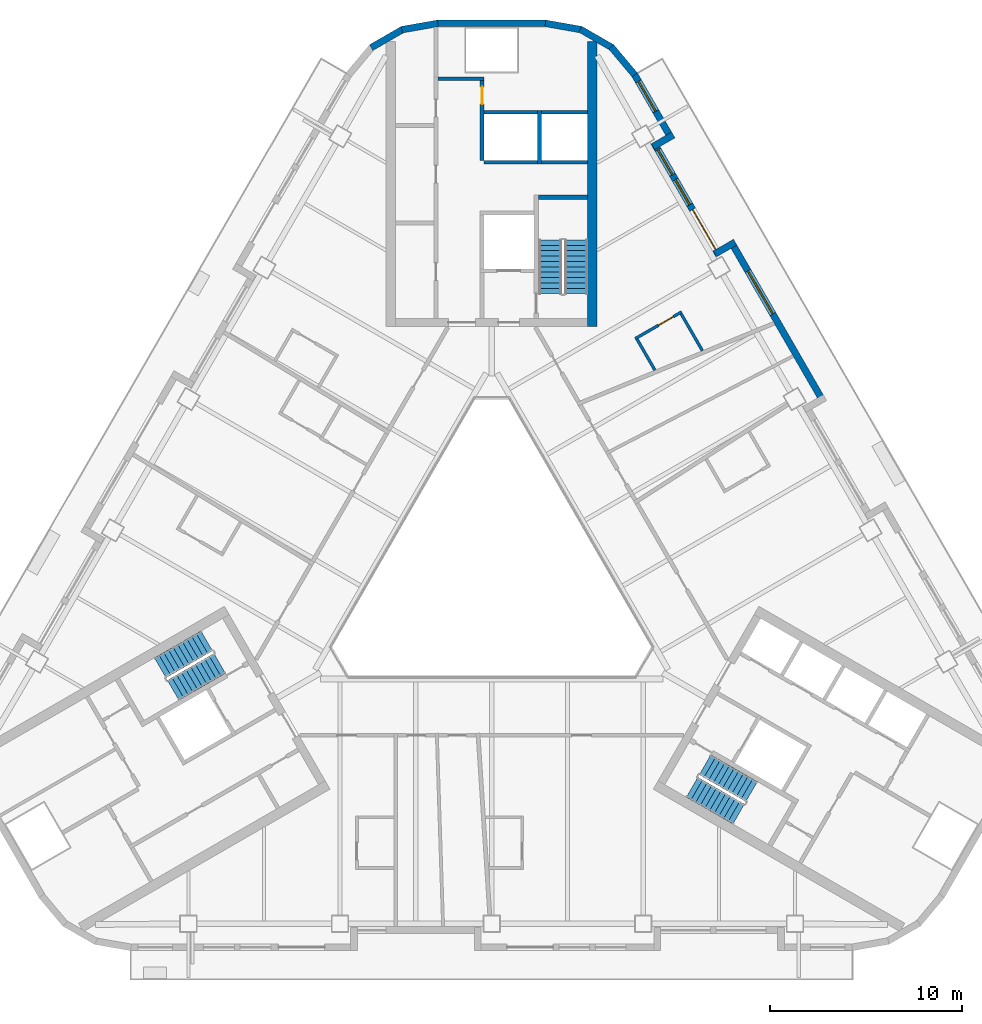
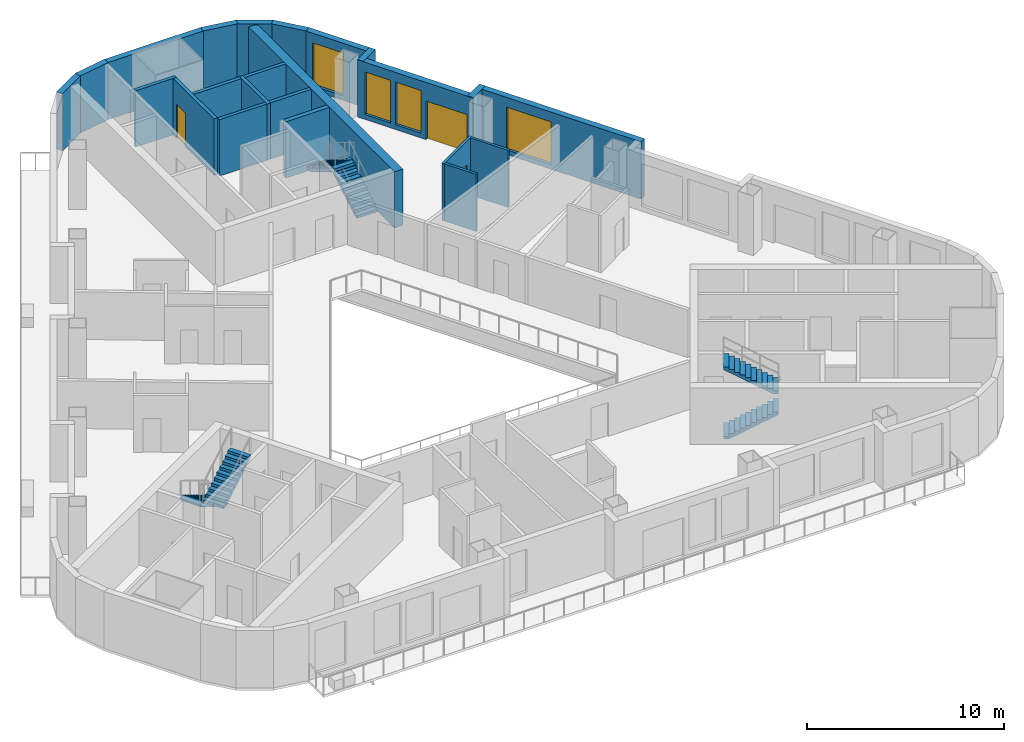
# One storey, part 7 of 13: 23 walls, 6 stair flights, 4 windows, 3 doors, 7 openings, 3 elements without a shape of their own.
"""IFC4 building model written with IfcOpenShell, lengths in metres."""

from ifc_helpers import new_model, si_unit, direction, frame, frame_2d, origin, place, context, subcontext, project, spatial, polyline, rectangle, outline, extrude, material, layer, layer_set, type_object, element, fill, aggregate, save


model = new_model("IFC4")

# Units and contexts
model_context = context("Model", 3, precision=1e-05, world=origin(), true_north=direction((0.0, 1.0)))
body_context = subcontext(model_context, "Body", "Model", "MODEL_VIEW")
ifc_project = project(units=[si_unit("LENGTHUNIT", "METRE"), si_unit("AREAUNIT", "SQUARE_METRE"), si_unit("VOLUMEUNIT", "CUBIC_METRE"), si_unit("PLANEANGLEUNIT", "RADIAN"), si_unit("MASSUNIT", "GRAM", prefix="KILO")], contexts=[model_context])

# Site, building, storey
site_placement = place(None, origin())
site = spatial("IfcSite", under=ifc_project, at=site_placement, CompositionType="ELEMENT")
building_placement = place(site_placement, origin())
building = spatial("IfcBuilding", under=site, at=building_placement, Name="Apuvela Tower Hotel", CompositionType="ELEMENT")
storey_placement = place(building_placement, frame((0.0, 0.0, 102.0)))
storey = spatial("IfcBuildingStorey", under=building, at=storey_placement, Name="L23", CompositionType="ELEMENT", Elevation=102.0)

# Walls
ifc_material_1 = material(Name="Concrete C50/60", Category="concrete")
ifc_layer_1 = layer(ifc_material_1, 0.5)
ifc_layer_set_1 = layer_set([ifc_layer_1], Name="COR-WALL-CORE-500")
wall_type_1 = type_object("IfcWallType", Name="COR-WALL-CORE-500", PredefinedType="SHEAR", material=ifc_layer_set_1)
wall_1_placement = place(storey_placement, frame((5.25, 12.89990234375, 0.0), z_axis=(0.0, 0.0, 1.0), x_axis=(0.0, 1.0, 0.0)))
element("IfcWall", 1, at=wall_1_placement, inside=storey, type_object=wall_type_1, Name="Core wall N", PredefinedType="SHEAR", context=body_context, shape_type="SweptSolid", body=[
    extrude(rectangle(XDim=14.8369140625, YDim=0.5, at=frame_2d((7.41845703125, 0.0))), origin(), (0.0, 0.0, 1.0), 3.5),
])
ifc_material_2 = material(Name="Blockwork 200 mm plastered", Category="masonry")
ifc_layer_2 = layer(ifc_material_2, 0.199951171875)
ifc_layer_set_2 = layer_set([ifc_layer_2], Name="COR-WALL-PART-200")
wall_type_2 = type_object("IfcWallType", Name="COR-WALL-PART-200", PredefinedType="PARTITIONING", material=ifc_layer_set_2)
wall_2_placement = place(storey_placement, frame((5.0, 21.449951171875, 0.0), z_axis=(0.0, 0.0, 1.0), x_axis=(-1.0, 0.0, 0.0)))
element("IfcWall", 2, at=wall_2_placement, inside=storey, type_object=wall_type_2, Name="Partition N", PredefinedType="PARTITIONING", context=body_context, shape_type="SweptSolid", body=[
    extrude(rectangle(XDim=2.39990234375, YDim=0.199951171875, at=frame_2d((1.199951171875, 0.0))), origin(), (0.0, 0.0, 1.0), 3.5),
])
wall_3_placement = place(storey_placement, frame((2.39990234375, 21.449951171875, 0.0), z_axis=(0.0, 0.0, 1.0), x_axis=(-1.0, 0.0, 0.0)))
element("IfcWall", 3, at=wall_3_placement, inside=storey, type_object=wall_type_2, Name="Partition N", PredefinedType="PARTITIONING", context=body_context, shape_type="SweptSolid", body=[
    extrude(rectangle(XDim=2.7998046875, YDim=0.199951171875, at=frame_2d((1.39990234375, 0.0))), origin(), (0.0, 0.0, 1.0), 3.5),
])
ifc_layer_3 = layer(ifc_material_1, 0.199951171875)
ifc_layer_set_3 = layer_set([ifc_layer_3], Name="COR-WALL-SHAFT-200")
wall_type_3 = type_object("IfcWallType", Name="COR-WALL-SHAFT-200", PredefinedType="SHEAR", material=ifc_layer_set_3)
wall_4_placement = place(storey_placement, frame((-0.39990234375, 25.800048828125, 0.0), z_axis=(0.0, 0.0, 1.0), x_axis=(-1.0, 0.0, 0.0)))
element("IfcWall", 4, at=wall_4_placement, inside=storey, type_object=wall_type_3, Name="Shaft wall N", PredefinedType="SHEAR", context=body_context, shape_type="SweptSolid", body=[
    extrude(rectangle(XDim=2.400146484375, YDim=0.199951171875, at=frame_2d((1.2001953125, 0.0))), origin(), (0.0, 0.0, 1.0), 3.5),
])

# Wall, opening, door
wall_5_placement = place(storey_placement, frame((-0.5, 21.550048828125, 0.0), z_axis=(0.0, 0.0, 1.0), x_axis=(0.0, 1.0, 0.0)))
wall_5 = element("IfcWall", 5, at=wall_5_placement, inside=storey, type_object=wall_type_3, Name="Shaft wall N", PredefinedType="SHEAR", context=body_context, shape_type="SweptSolid", body=[
    extrude(rectangle(XDim=4.14990234375, YDim=0.199951171875, at=frame_2d((2.074951171875, 0.0))), origin(), (0.0, 0.0, 1.0), 3.5),
])
opening_1_placement = place(wall_5_placement, frame((2.925048828125, 0.0, 0.0)))
opening_1 = element("IfcOpeningElement", 6, at=opening_1_placement, cuts=wall_5, Name="Opening N-RSP", PredefinedType="OPENING", context=body_context, shape_type="SweptSolid", body=[
    extrude(rectangle(XDim=0.89990234375, YDim=2.10009765625, at=frame_2d((0.449951171875, 1.050048828125))), frame((0.0, 0.10986328125, 0.0), z_axis=(0.0, -1.0, 0.0), x_axis=(1.0, 0.0, 0.0)), (0.0, 0.0, 1.0), 0.219970703125),
])
ifc_material_3 = material(Name="Steel fire door, powder coated", Category="steel")
door_type_1 = type_object("IfcDoorType", Name="COR-DR-900", OperationType="NOTDEFINED", PredefinedType="DOOR", material=ifc_material_3)
door_1_placement = place(opening_1_placement, frame((0.89990234375, 0.0, 0.0), z_axis=(0.0, 0.0, 1.0), x_axis=(-1.0, 0.0, 0.0)))
door_1 = element("IfcDoor", 7, at=door_1_placement, inside=storey, type_object=door_type_1, Name="Store door N-RSP", OperationType="SINGLE_SWING_LEFT", OverallHeight=2.10009765625, OverallWidth=0.89990234375, PredefinedType="DOOR", context=body_context, shape_type="SweptSolid", body=[
    extrude(rectangle(XDim=0.89990234375, YDim=2.10009765625, at=frame_2d((0.449951171875, 1.050048828125))), frame((0.0, 0.02490234375, 0.0), z_axis=(0.0, -1.0, 0.0), x_axis=(1.0, 0.0, 0.0)), (0.0, 0.0, 1.0), 0.050048828125),
])
fill(opening_1, door_1)

# Walls
wall_6_placement = place(storey_placement, frame((2.5, 21.35009765625, 0.0), z_axis=(0.0, 0.0, 1.0), x_axis=(0.0, 1.0, 0.0)))
element("IfcWall", 8, at=wall_6_placement, inside=storey, type_object=wall_type_3, Name="Shaft wall N", PredefinedType="SHEAR", context=body_context, shape_type="SweptSolid", body=[
    extrude(rectangle(XDim=2.7998046875, YDim=0.199951171875, at=frame_2d((1.39990234375, 0.0))), origin(), (0.0, 0.0, 1.0), 3.5),
])
wall_7_placement = place(storey_placement, frame((5.0, 24.050048828125, 0.0), z_axis=(0.0, 0.0, 1.0), x_axis=(-1.0, 0.0, 0.0)))
element("IfcWall", 9, at=wall_7_placement, inside=storey, type_object=wall_type_3, Name="Shaft wall N", PredefinedType="SHEAR", context=body_context, shape_type="SweptSolid", body=[
    extrude(rectangle(XDim=2.39990234375, YDim=0.199951171875, at=frame_2d((1.199951171875, 0.0))), origin(), (0.0, 0.0, 1.0), 3.5),
])
wall_8_placement = place(storey_placement, frame((2.39990234375, 24.050048828125, 0.0), z_axis=(0.0, 0.0, 1.0), x_axis=(-1.0, 0.0, 0.0)))
element("IfcWall", 10, at=wall_8_placement, inside=storey, type_object=wall_type_3, Name="Shaft wall N", PredefinedType="SHEAR", context=body_context, shape_type="SweptSolid", body=[
    extrude(rectangle(XDim=2.7998046875, YDim=0.199951171875, at=frame_2d((1.39990234375, 0.0))), origin(), (0.0, 0.0, 1.0), 3.5),
])
ifc_layer_4 = layer(ifc_material_1, 0.25)
ifc_layer_set_4 = layer_set([ifc_layer_4], Name="COR-WALL-STAIR-250")
wall_type_4 = type_object("IfcWallType", Name="COR-WALL-STAIR-250", PredefinedType="SHEAR", material=ifc_layer_set_4)
wall_9_placement = place(storey_placement, frame((5.0, 19.625, 0.0), z_axis=(0.0, 0.0, 1.0), x_axis=(-1.0, 0.0, 0.0)))
element("IfcWall", 11, at=wall_9_placement, inside=storey, type_object=wall_type_4, Name="Stair wall N", PredefinedType="SHEAR", context=body_context, shape_type="SweptSolid", body=[
    extrude(rectangle(XDim=2.550048828125, YDim=0.25, at=frame_2d((1.27490234375, 0.0))), origin(), (0.0, 0.0, 1.0), 3.5),
])

# Wall, opening, window
ifc_material_4 = material(Name="Concrete C40/50, dark pigmented precast panel", Category="concrete")
ifc_layer_5 = layer(ifc_material_4, 0.35009765625)
ifc_layer_set_5 = layer_set([ifc_layer_5], Name="ENV-WALL-350")
wall_type_5 = type_object("IfcWallType", Name="ENV-WALL-350", PredefinedType="SOLIDWALL", material=ifc_layer_set_5)
wall_10_placement = place(storey_placement, frame((17.298583984375, 8.947998046875, 0.0), z_axis=(0.0, 0.0, 1.0), x_axis=(-0.500010041276, 0.866019606374, 0.0)))
wall_10 = element("IfcWall", 12, at=wall_10_placement, inside=storey, type_object=wall_type_5, Name="External wall L23-37", PredefinedType="SOLIDWALL", context=body_context, shape_type="SweptSolid", body=[
    extrude(rectangle(XDim=9.699951171875, YDim=0.35009765625, at=frame_2d((4.85009765625, 0.0))), origin(), (0.0, 0.0, 1.0), 3.550048828125),
])
opening_2_placement = place(wall_10_placement, frame((5.301025390625, 0.0, 0.300048828125)))
opening_2 = element("IfcOpeningElement", 13, at=opening_2_placement, cuts=wall_10, Name="Opening WN26", PredefinedType="OPENING", context=body_context, shape_type="SweptSolid", body=[
    extrude(rectangle(XDim=2.60009765625, YDim=2.64990234375, at=frame_2d((1.300048828125, 1.324951171875))), frame((0.0, 0.18505859375, 0.0), z_axis=(0.0, -1.0, 0.0), x_axis=(1.0, 0.0, 0.0)), (0.0, 0.0, 1.0), 0.3701171875),
])
ifc_material_5 = material(Name="Glass, dark tinted laminated insulated glazing unit", Category="glass")
window_type_1 = type_object("IfcWindowType", Name="ENV-WIN-2600x2650", PartitioningType="SINGLE_PANEL", PredefinedType="WINDOW", material=ifc_material_5)
window_1_placement = place(opening_2_placement, origin())
window_1 = element("IfcWindow", 14, at=window_1_placement, inside=storey, type_object=window_type_1, Name="Window WN26", OverallHeight=2.64990234375, OverallWidth=2.60009765625, PartitioningType="SINGLE_PANEL", PredefinedType="WINDOW", context=body_context, shape_type="SweptSolid", body=[
    extrude(rectangle(XDim=2.60009765625, YDim=2.64990234375, at=frame_2d((1.300048828125, 1.324951171875))), frame((0.0, 0.030029296875, 0.0), z_axis=(0.0, -1.0, 0.0), x_axis=(1.0, 0.0, 0.0)), (0.0, 0.0, 1.0), 0.06005859375),
])
fill(opening_2, window_1)

# Wall
wall_11_placement = place(storey_placement, frame((12.6875, 17.284423828125, 0.0), z_axis=(0.0, 0.0, 1.0), x_axis=(-0.865955602162, -0.500120880472, 0.0)))
element("IfcWall", 15, at=wall_11_placement, inside=storey, type_object=wall_type_5, Name="External wall L23-38", PredefinedType="SOLIDWALL", context=body_context, shape_type="SweptSolid", body=[
    extrude(rectangle(XDim=1.219970703125, YDim=0.35009765625, at=frame_2d((0.60986328125, 0.0))), origin(), (0.0, 0.0, 1.0), 3.550048828125),
])

# Wall, openings, door, windows
wall_12_placement = place(storey_placement, frame((11.8291015625, 16.621337890625, 0.0), z_axis=(0.0, 0.0, 1.0), x_axis=(-0.500003597184, 0.866023326939, 0.0)))
wall_12 = element("IfcWall", 16, at=wall_12_placement, inside=storey, type_object=wall_type_5, Name="External wall L23-39", PredefinedType="SOLIDWALL", context=body_context, shape_type="SweptSolid", body=[
    extrude(rectangle(XDim=6.740234375, YDim=0.35009765625, at=frame_2d((3.3701171875, 0.0))), origin(), (0.0, 0.0, 1.0), 3.550048828125),
])
opening_3_placement = place(wall_12_placement, frame((0.320068359375, 0.0, 0.0)))
opening_3 = element("IfcOpeningElement", 17, at=opening_3_placement, cuts=wall_12, Name="Opening BD24", PredefinedType="OPENING", context=body_context, shape_type="SweptSolid", body=[
    extrude(rectangle(XDim=2.39990234375, YDim=2.39990234375, at=frame_2d((1.199951171875, 1.199951171875))), frame((0.0, 0.18505859375, 0.0), z_axis=(0.0, -1.0, 0.0), x_axis=(1.0, 0.0, 0.0)), (0.0, 0.0, 1.0), 0.3701171875),
])
opening_4_placement = place(wall_12_placement, frame((3.02001953125, 0.0, 0.300048828125)))
opening_4 = element("IfcOpeningElement", 18, at=opening_4_placement, cuts=wall_12, Name="Opening WN15", PredefinedType="OPENING", context=body_context, shape_type="SweptSolid", body=[
    extrude(rectangle(XDim=1.5, YDim=2.64990234375, at=frame_2d((0.75, 1.324951171875))), frame((0.0, 0.18505859375, 0.0), z_axis=(0.0, -1.0, 0.0), x_axis=(1.0, 0.0, 0.0)), (0.0, 0.0, 1.0), 0.3701171875),
])
opening_5_placement = place(wall_12_placement, frame((4.820068359375, 0.0, 0.300048828125)))
opening_5 = element("IfcOpeningElement", 19, at=opening_5_placement, cuts=wall_12, Name="Opening WN15", PredefinedType="OPENING", context=body_context, shape_type="SweptSolid", body=[
    extrude(rectangle(XDim=1.5, YDim=2.64990234375, at=frame_2d((0.75, 1.324951171875))), frame((0.0, 0.18505859375, 0.0), z_axis=(0.0, -1.0, 0.0), x_axis=(1.0, 0.0, 0.0)), (0.0, 0.0, 1.0), 0.3701171875),
])
ifc_material_6 = material(Name="Aluminium 6063-T6, dark bronze anodised frame with dark tinted laminated glass", Category="aluminium")
door_type_2 = type_object("IfcDoorType", Name="ENV-DOOR-BALCONY-2400x2400", OperationType="SLIDING_TO_LEFT", PredefinedType="DOOR", material=ifc_material_6)
door_2_placement = place(opening_3_placement, frame((2.39990234375, 0.0, 0.0), z_axis=(0.0, 0.0, 1.0), x_axis=(-1.0, 0.0, 0.0)))
door_2 = element("IfcDoor", 20, at=door_2_placement, inside=storey, type_object=door_type_2, Name="Balcony door BD24", OperationType="SLIDING_TO_LEFT", OverallHeight=2.39990234375, OverallWidth=2.39990234375, PredefinedType="DOOR", context=body_context, shape_type="SweptSolid", body=[
    extrude(rectangle(XDim=2.39990234375, YDim=2.39990234375, at=frame_2d((1.199951171875, 1.199951171875))), frame((0.0, 0.02490234375, 0.0), z_axis=(0.0, -1.0, 0.0), x_axis=(1.0, 0.0, 0.0)), (0.0, 0.0, 1.0), 0.050048828125),
])
fill(opening_3, door_2)
window_type_2 = type_object("IfcWindowType", Name="ENV-WIN-1500x2650", PartitioningType="SINGLE_PANEL", PredefinedType="WINDOW", material=ifc_material_5)
window_2_placement = place(opening_4_placement, origin())
window_2 = element("IfcWindow", 21, at=window_2_placement, inside=storey, type_object=window_type_2, Name="Window WN15", OverallHeight=2.64990234375, OverallWidth=1.5, PartitioningType="SINGLE_PANEL", PredefinedType="WINDOW", context=body_context, shape_type="SweptSolid", body=[
    extrude(rectangle(XDim=1.5, YDim=2.64990234375, at=frame_2d((0.75, 1.324951171875))), frame((0.0, 0.030029296875, 0.0), z_axis=(0.0, -1.0, 0.0), x_axis=(1.0, 0.0, 0.0)), (0.0, 0.0, 1.0), 0.06005859375),
])
fill(opening_4, window_2)
window_3_placement = place(opening_5_placement, origin())
window_3 = element("IfcWindow", 22, at=window_3_placement, inside=storey, type_object=window_type_2, Name="Window WN15", OverallHeight=2.64990234375, OverallWidth=1.5, PartitioningType="SINGLE_PANEL", PredefinedType="WINDOW", context=body_context, shape_type="SweptSolid", body=[
    extrude(rectangle(XDim=1.5, YDim=2.64990234375, at=frame_2d((0.75, 1.324951171875))), frame((0.0, 0.030029296875, 0.0), z_axis=(0.0, -1.0, 0.0), x_axis=(1.0, 0.0, 0.0)), (0.0, 0.0, 1.0), 0.06005859375),
])
fill(opening_5, window_3)

# Wall
wall_13_placement = place(storey_placement, frame((8.406005859375, 22.26025390625, 0.0), z_axis=(0.0, 0.0, 1.0), x_axis=(0.865955602162, 0.500120880472, 0.0)))
element("IfcWall", 23, at=wall_13_placement, inside=storey, type_object=wall_type_5, Name="External wall L23-40", PredefinedType="SOLIDWALL", context=body_context, shape_type="SweptSolid", body=[
    extrude(rectangle(XDim=1.219970703125, YDim=0.35009765625, at=frame_2d((0.60986328125, 0.0))), origin(), (0.0, 0.0, 1.0), 3.550048828125),
])

# Wall, opening, window
wall_14_placement = place(storey_placement, frame((9.3984375, 22.631103515625, 0.0), z_axis=(0.0, 0.0, 1.0), x_axis=(-0.499954521343, 0.866051659307, 0.0)))
wall_14 = element("IfcWall", 24, at=wall_14_placement, inside=storey, type_object=wall_type_5, Name="External wall L23-41", PredefinedType="SOLIDWALL", context=body_context, shape_type="SweptSolid", body=[
    extrude(rectangle(XDim=3.915771484375, YDim=0.35009765625, at=frame_2d((1.9580078125, 0.0))), origin(), (0.0, 0.0, 1.0), 3.550048828125),
])
opening_6_placement = place(wall_14_placement, frame((1.69970703125, 0.0, 0.300048828125)))
opening_6 = element("IfcOpeningElement", 25, at=opening_6_placement, cuts=wall_14, Name="Opening WN18", PredefinedType="OPENING", context=body_context, shape_type="SweptSolid", body=[
    extrude(rectangle(XDim=1.800048828125, YDim=2.64990234375, at=frame_2d((0.89990234375, 1.324951171875))), frame((0.0, 0.18505859375, 0.0), z_axis=(0.0, -1.0, 0.0), x_axis=(1.0, 0.0, 0.0)), (0.0, 0.0, 1.0), 0.3701171875),
])
window_type_3 = type_object("IfcWindowType", Name="ENV-WIN-1800x2650", PartitioningType="SINGLE_PANEL", PredefinedType="WINDOW", material=ifc_material_5)
window_4_placement = place(opening_6_placement, origin())
window_4 = element("IfcWindow", 26, at=window_4_placement, inside=storey, type_object=window_type_3, Name="Window WN18", OverallHeight=2.64990234375, OverallWidth=1.800048828125, PartitioningType="SINGLE_PANEL", PredefinedType="WINDOW", context=body_context, shape_type="SweptSolid", body=[
    extrude(rectangle(XDim=1.800048828125, YDim=2.64990234375, at=frame_2d((0.89990234375, 1.324951171875))), frame((0.0, 0.030029296875, 0.0), z_axis=(0.0, -1.0, 0.0), x_axis=(1.0, 0.0, 0.0)), (0.0, 0.0, 1.0), 0.06005859375),
])
fill(opening_6, window_4)

# Walls
wall_15_placement = place(storey_placement, frame((7.4580078125, 25.99755859375, 0.0), z_axis=(0.0, 0.0, 1.0), x_axis=(-0.642808304945, 0.766027077259, 0.0)))
element("IfcWall", 27, at=wall_15_placement, inside=storey, type_object=wall_type_5, Name="External wall L23-42", PredefinedType="SOLIDWALL", context=body_context, shape_type="SweptSolid", body=[
    extrude(rectangle(XDim=1.909912109375, YDim=0.35009765625, at=frame_2d((0.955078125, 0.0))), origin(), (0.0, 0.0, 1.0), 3.550048828125),
])
for number, where, z_axis, x_axis, name in (
    (28, (6.27685546875, 27.421630859375, 0.0), (0.0, 0.0, 1.0), (-0.866032345022, 0.499987977232, 0.0), "External wall L23-43"),
    (29, (4.6796875, 28.35595703125, 0.0), (0.0, 0.0, 1.0), (-0.984798995425, 0.173697837091, 0.0), "External wall L23-44"),
):
    element("IfcWall", number, at=place(storey_placement, frame(where, z_axis=z_axis, x_axis=x_axis)), inside=storey, type_object=wall_type_5, Name=name, PredefinedType="SOLIDWALL", context=body_context, shape_type="SweptSolid", body=[
        extrude(rectangle(XDim=1.91015625, YDim=0.35009765625, at=frame_2d((0.955078125, 0.0))), origin(), (0.0, 0.0, 1.0), 3.550048828125),
    ])
wall_16_placement = place(storey_placement, frame((2.8291015625, 28.68505859375, 0.0), z_axis=(0.0, 0.0, 1.0), x_axis=(-1.0, 0.0, 0.0)))
element("IfcWall", 30, at=wall_16_placement, inside=storey, type_object=wall_type_5, Name="External wall L23-45", PredefinedType="SOLIDWALL", context=body_context, shape_type="SweptSolid", body=[
    extrude(rectangle(XDim=5.658203125, YDim=0.35009765625, at=frame_2d((2.8291015625, 0.0))), origin(), (0.0, 0.0, 1.0), 3.550048828125),
])
for number, where, z_axis, x_axis, name in (
    (31, (-2.798583984375, 28.687744140625, 0.0), (0.0, 0.0, 1.0), (-0.984798995425, -0.173697837091, 0.0), "External wall L23-46"),
    (32, (-4.62255859375, 28.376708984375, 0.0), (0.0, 0.0, 1.0), (-0.866032345022, -0.499987977232, 0.0), "External wall L23-47"),
):
    element("IfcWall", number, at=place(storey_placement, frame(where, z_axis=z_axis, x_axis=x_axis)), inside=storey, type_object=wall_type_5, Name=name, PredefinedType="SOLIDWALL", context=body_context, shape_type="SweptSolid", body=[
        extrude(rectangle(XDim=1.91015625, YDim=0.35009765625, at=frame_2d((0.955078125, 0.0))), origin(), (0.0, 0.0, 1.0), 3.550048828125),
    ])

# Wall, opening, door
ifc_material_7 = material(Name="Moisture-resistant gypsum board wet wall on steel stud", Category="steel")
ifc_layer_6 = layer(ifc_material_7, 0.14990234375)
ifc_layer_set_6 = layer_set([ifc_layer_6], Name="GST-PW3")
wall_type_6 = type_object("IfcWallType", Name="GST-PW3", PredefinedType="PARTITIONING", material=ifc_layer_set_6)
wall_17_placement = place(storey_placement, frame((9.899658203125, 13.6533203125, 0.0), z_axis=(0.0, 0.0, 1.0), x_axis=(-0.866056369097, -0.49994636267, 0.0)))
wall_17 = element("IfcWall", 33, at=wall_17_placement, inside=storey, type_object=wall_type_6, Name="L23 partition 26", PredefinedType="PARTITIONING", context=body_context, shape_type="SweptSolid", body=[
    extrude(rectangle(XDim=2.800048828125, YDim=0.14990234375, at=frame_2d((1.39990234375, 0.0))), origin(), (0.0, 0.0, 1.0), 3.550048828125),
])
opening_7_placement = place(wall_17_placement, frame((0.5, 0.0, 0.0)))
opening_7 = element("IfcOpeningElement", 34, at=opening_7_placement, cuts=wall_17, Name="Opening GD08-11", PredefinedType="OPENING", context=body_context, shape_type="SweptSolid", body=[
    extrude(rectangle(XDim=0.89990234375, YDim=2.10009765625, at=frame_2d((0.449951171875, 1.050048828125))), frame((0.0, 0.0849609375, 0.0), z_axis=(0.0, -1.0, 0.0), x_axis=(1.0, 0.0, 0.0)), (0.0, 0.0, 1.0), 0.169921875),
])
ifc_material_8 = material(Name="Timber door leaf in steel frame", Category="steel")
door_type_3 = type_object("IfcDoorType", Name="GST-D2", OperationType="NOTDEFINED", PredefinedType="DOOR", material=ifc_material_8)
door_3_placement = place(opening_7_placement, origin())
door_3 = element("IfcDoor", 35, at=door_3_placement, inside=storey, type_object=door_type_3, Name="Door L23-11", OperationType="SINGLE_SWING_LEFT", OverallHeight=2.10009765625, OverallWidth=0.89990234375, PredefinedType="DOOR", context=body_context, shape_type="SweptSolid", body=[
    extrude(rectangle(XDim=0.89990234375, YDim=2.10009765625, at=frame_2d((0.449951171875, 1.050048828125))), frame((0.0, 0.02490234375, 0.0), z_axis=(0.0, -1.0, 0.0), x_axis=(1.0, 0.0, 0.0)), (0.0, 0.0, 1.0), 0.050048828125),
])
fill(opening_7, door_3)

# Walls
wall_18_placement = place(storey_placement, frame((10.98046875, 11.63134765625, 0.0), z_axis=(0.0, 0.0, 1.0), x_axis=(-0.500024353964, 0.86601134256, 0.0)))
element("IfcWall", 36, at=wall_18_placement, inside=storey, type_object=wall_type_6, Name="L23 partition 27", PredefinedType="PARTITIONING", context=body_context, shape_type="SweptSolid", body=[
    extrude(rectangle(XDim=2.216796875, YDim=0.14990234375, at=frame_2d((1.1083984375, 0.0))), origin(), (0.0, 0.0, 1.0), 3.550048828125),
])
wall_19_placement = place(storey_placement, frame((8.507080078125, 10.614990234375, 0.0), z_axis=(0.0, 0.0, 1.0), x_axis=(-0.499908018857, 0.866078502609, 0.0)))
element("IfcWall", 37, at=wall_19_placement, inside=storey, type_object=wall_type_6, Name="L23 partition 28", PredefinedType="PARTITIONING", context=body_context, shape_type="SweptSolid", body=[
    extrude(rectangle(XDim=1.860107421875, YDim=0.14990234375, at=frame_2d((0.93017578125, 0.0))), origin(), (0.0, 0.0, 1.0), 3.550048828125),
])

# Stair, stair flights
stair_type = type_object("IfcStairType", Name="COR-STAIR-22R", PredefinedType="HALF_TURN_STAIR", material=ifc_material_1)
stair_1_placement = place(storey_placement, origin())
stair_1 = element("IfcStair", 38, at=stair_1_placement, inside=storey, type_object=stair_type, Name="L23 Exit stair ST1", PredefinedType="HALF_TURN_STAIR")
stair_flight_type = type_object("IfcStairFlightType", Name="COR-FLIGHT-11R", PredefinedType="STRAIGHT", material=ifc_material_1)
stair_flight_1_placement = place(storey_placement, frame((4.39990234375, 14.60009765625, 0.0), z_axis=(0.0, 0.0, 1.0), x_axis=(0.0, 1.0, 0.0)))
stair_flight_1 = element("IfcStairFlight", 39, at=stair_flight_1_placement, type_object=stair_flight_type, Name="ST1 flight 1", NumberOfRisers=11, NumberOfTreads=10, PredefinedType="STRAIGHT", RiserHeight=0.168181818, TreadLength=0.28, context=body_context, shape_type="SweptSolid", body=[
    extrude(outline(polyline([(0.0, 0.0), (0.0, 0.168212890625), (0.280029296875, 0.168212890625), (0.280029296875, 0.33642578125), (0.56005859375, 0.33642578125), (0.56005859375, 0.504638671875), (0.840087890625, 0.504638671875), (0.840087890625, 0.672607421875), (1.1201171875, 0.672607421875), (1.1201171875, 0.8408203125), (1.39990234375, 0.8408203125), (1.39990234375, 1.009033203125), (1.679931640625, 1.009033203125), (1.679931640625, 1.17724609375), (1.9599609375, 1.17724609375), (1.9599609375, 1.345458984375), (2.239990234375, 1.345458984375), (2.239990234375, 1.513671875), (2.52001953125, 1.513671875), (2.52001953125, 1.681884765625), (2.800048828125, 1.681884765625), (2.800048828125, 1.85009765625), (2.800048828125, 1.5068359375), (0.291015625, 0.0), (0.0, 0.0)])), frame((0.0, 0.60009765625, 0.0), z_axis=(0.0, -1.0, 0.0), x_axis=(1.0, 0.0, 0.0)), (0.0, 0.0, 1.0), 1.199951171875),
])
stair_flight_2_placement = place(storey_placement, frame((3.050048828125, 17.39990234375, 1.85009765625), z_axis=(0.0, 0.0, 1.0), x_axis=(0.0, -1.0, 0.0)))
stair_flight_2 = element("IfcStairFlight", 40, at=stair_flight_2_placement, type_object=stair_flight_type, Name="ST1 flight 2", NumberOfRisers=11, NumberOfTreads=10, PredefinedType="STRAIGHT", RiserHeight=0.168181818, TreadLength=0.28, context=body_context, shape_type="SweptSolid", body=[
    extrude(outline(polyline([(0.0, 0.0), (0.0, 0.168212890625), (0.280029296875, 0.168212890625), (0.280029296875, 0.33642578125), (0.56005859375, 0.33642578125), (0.56005859375, 0.504638671875), (0.840087890625, 0.504638671875), (0.840087890625, 0.672607421875), (1.1201171875, 0.672607421875), (1.1201171875, 0.8408203125), (1.39990234375, 0.8408203125), (1.39990234375, 1.009033203125), (1.679931640625, 1.009033203125), (1.679931640625, 1.17724609375), (1.9599609375, 1.17724609375), (1.9599609375, 1.345458984375), (2.239990234375, 1.345458984375), (2.239990234375, 1.513671875), (2.52001953125, 1.513671875), (2.52001953125, 1.681884765625), (2.800048828125, 1.681884765625), (2.800048828125, 1.85009765625), (2.800048828125, 1.5068359375), (0.291015625, 0.0), (0.0, 0.0)])), frame((0.0, 0.60009765625, 0.0), z_axis=(0.0, -1.0, 0.0), x_axis=(1.0, 0.0, 0.0)), (0.0, 0.0, 1.0), 1.199951171875),
])
aggregate(stair_1, [stair_flight_1, stair_flight_2])

stair_2_placement = place(storey_placement, origin())
stair_2 = element("IfcStair", 41, at=stair_2_placement, inside=storey, type_object=stair_type, Name="L23 Exit stair ST2", PredefinedType="HALF_TURN_STAIR")
stair_flight_3_placement = place(storey_placement, frame((-14.843994140625, -3.489501953125, 0.0), z_axis=(0.0, 0.0, 1.0), x_axis=(-0.866025403784, -0.5, 0.0)))
stair_flight_3 = element("IfcStairFlight", 42, at=stair_flight_3_placement, type_object=stair_flight_type, Name="ST2 flight 1", NumberOfRisers=11, NumberOfTreads=10, PredefinedType="STRAIGHT", RiserHeight=0.168181818, TreadLength=0.28, context=body_context, shape_type="SweptSolid", body=[
    extrude(outline(polyline([(0.0, 0.0), (0.0, 0.168212890625), (0.280029296875, 0.168212890625), (0.280029296875, 0.33642578125), (0.56005859375, 0.33642578125), (0.56005859375, 0.504638671875), (0.840087890625, 0.504638671875), (0.840087890625, 0.672607421875), (1.1201171875, 0.672607421875), (1.1201171875, 0.8408203125), (1.39990234375, 0.8408203125), (1.39990234375, 1.009033203125), (1.679931640625, 1.009033203125), (1.679931640625, 1.17724609375), (1.9599609375, 1.17724609375), (1.9599609375, 1.345458984375), (2.239990234375, 1.345458984375), (2.239990234375, 1.513671875), (2.52001953125, 1.513671875), (2.52001953125, 1.681884765625), (2.800048828125, 1.681884765625), (2.800048828125, 1.85009765625), (2.800048828125, 1.5068359375), (0.291015625, 0.0), (0.0, 0.0)])), frame((0.0, 0.60009765625, 0.0), z_axis=(0.0, -1.0, 0.0), x_axis=(1.0, 0.0, 0.0)), (0.0, 0.0, 1.0), 1.199951171875),
])
stair_flight_4_placement = place(storey_placement, frame((-16.59375, -6.05859375, 1.85009765625), z_axis=(0.0, 0.0, 1.0), x_axis=(0.866025403784, 0.5, 0.0)))
stair_flight_4 = element("IfcStairFlight", 43, at=stair_flight_4_placement, type_object=stair_flight_type, Name="ST2 flight 2", NumberOfRisers=11, NumberOfTreads=10, PredefinedType="STRAIGHT", RiserHeight=0.168181818, TreadLength=0.28, context=body_context, shape_type="SweptSolid", body=[
    extrude(outline(polyline([(0.0, 0.0), (0.0, 0.168212890625), (0.280029296875, 0.168212890625), (0.280029296875, 0.33642578125), (0.56005859375, 0.33642578125), (0.56005859375, 0.504638671875), (0.840087890625, 0.504638671875), (0.840087890625, 0.672607421875), (1.1201171875, 0.672607421875), (1.1201171875, 0.8408203125), (1.39990234375, 0.8408203125), (1.39990234375, 1.009033203125), (1.679931640625, 1.009033203125), (1.679931640625, 1.17724609375), (1.9599609375, 1.17724609375), (1.9599609375, 1.345458984375), (2.239990234375, 1.345458984375), (2.239990234375, 1.513671875), (2.52001953125, 1.513671875), (2.52001953125, 1.681884765625), (2.800048828125, 1.681884765625), (2.800048828125, 1.85009765625), (2.800048828125, 1.5068359375), (0.291015625, 0.0), (0.0, 0.0)])), frame((0.0, 0.60009765625, 0.0), z_axis=(0.0, -1.0, 0.0), x_axis=(1.0, 0.0, 0.0)), (0.0, 0.0, 1.0), 1.199951171875),
])
aggregate(stair_2, [stair_flight_3, stair_flight_4])

stair_3_placement = place(storey_placement, origin())
stair_3 = element("IfcStair", 44, at=stair_3_placement, inside=storey, type_object=stair_type, Name="L23 Exit stair ST3", PredefinedType="HALF_TURN_STAIR")
stair_flight_5_placement = place(storey_placement, frame((10.444091796875, -11.110595703125, 0.0), z_axis=(0.0, 0.0, 1.0), x_axis=(0.866025403784, -0.5, 0.0)))
stair_flight_5 = element("IfcStairFlight", 45, at=stair_flight_5_placement, type_object=stair_flight_type, Name="ST3 flight 1", NumberOfRisers=11, NumberOfTreads=10, PredefinedType="STRAIGHT", RiserHeight=0.168181818, TreadLength=0.28, context=body_context, shape_type="SweptSolid", body=[
    extrude(outline(polyline([(0.0, 0.0), (0.0, 0.168212890625), (0.280029296875, 0.168212890625), (0.280029296875, 0.33642578125), (0.56005859375, 0.33642578125), (0.56005859375, 0.504638671875), (0.840087890625, 0.504638671875), (0.840087890625, 0.672607421875), (1.1201171875, 0.672607421875), (1.1201171875, 0.8408203125), (1.39990234375, 0.8408203125), (1.39990234375, 1.009033203125), (1.679931640625, 1.009033203125), (1.679931640625, 1.17724609375), (1.9599609375, 1.17724609375), (1.9599609375, 1.345458984375), (2.239990234375, 1.345458984375), (2.239990234375, 1.513671875), (2.52001953125, 1.513671875), (2.52001953125, 1.681884765625), (2.800048828125, 1.681884765625), (2.800048828125, 1.85009765625), (2.800048828125, 1.5068359375), (0.291015625, 0.0), (0.0, 0.0)])), frame((0.0, 0.60009765625, 0.0), z_axis=(0.0, -1.0, 0.0), x_axis=(1.0, 0.0, 0.0)), (0.0, 0.0, 1.0), 1.199951171875),
])
stair_flight_6_placement = place(storey_placement, frame((13.5439453125, -11.34130859375, 1.85009765625), z_axis=(0.0, 0.0, 1.0), x_axis=(-0.866025403784, 0.5, 0.0)))
stair_flight_6 = element("IfcStairFlight", 46, at=stair_flight_6_placement, type_object=stair_flight_type, Name="ST3 flight 2", NumberOfRisers=11, NumberOfTreads=10, PredefinedType="STRAIGHT", RiserHeight=0.168181818, TreadLength=0.28, context=body_context, shape_type="SweptSolid", body=[
    extrude(outline(polyline([(0.0, 0.0), (0.0, 0.168212890625), (0.280029296875, 0.168212890625), (0.280029296875, 0.33642578125), (0.56005859375, 0.33642578125), (0.56005859375, 0.504638671875), (0.840087890625, 0.504638671875), (0.840087890625, 0.672607421875), (1.1201171875, 0.672607421875), (1.1201171875, 0.8408203125), (1.39990234375, 0.8408203125), (1.39990234375, 1.009033203125), (1.679931640625, 1.009033203125), (1.679931640625, 1.17724609375), (1.9599609375, 1.17724609375), (1.9599609375, 1.345458984375), (2.239990234375, 1.345458984375), (2.239990234375, 1.513671875), (2.52001953125, 1.513671875), (2.52001953125, 1.681884765625), (2.800048828125, 1.681884765625), (2.800048828125, 1.85009765625), (2.800048828125, 1.5068359375), (0.291015625, 0.0), (0.0, 0.0)])), frame((0.0, 0.60009765625, 0.0), z_axis=(0.0, -1.0, 0.0), x_axis=(1.0, 0.0, 0.0)), (0.0, 0.0, 1.0), 1.199951171875),
])
aggregate(stair_3, [stair_flight_5, stair_flight_6])

save(model, "model.ifc")
